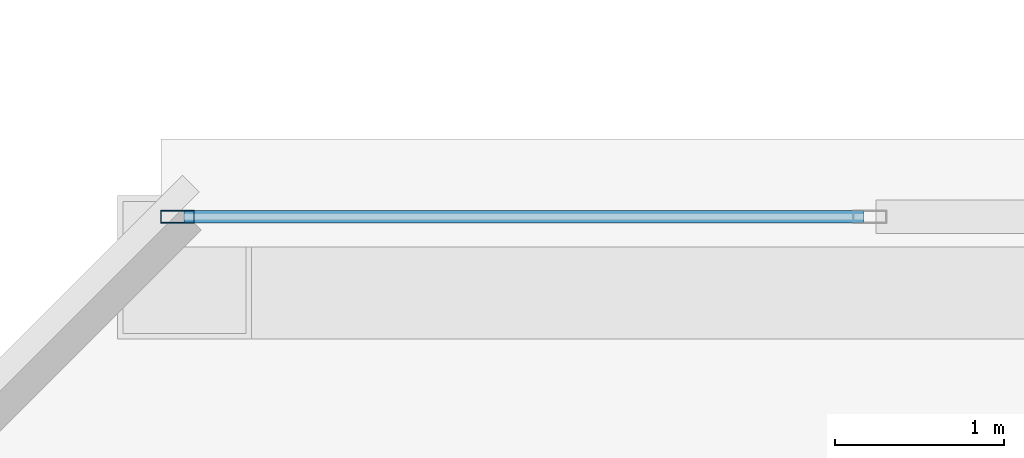
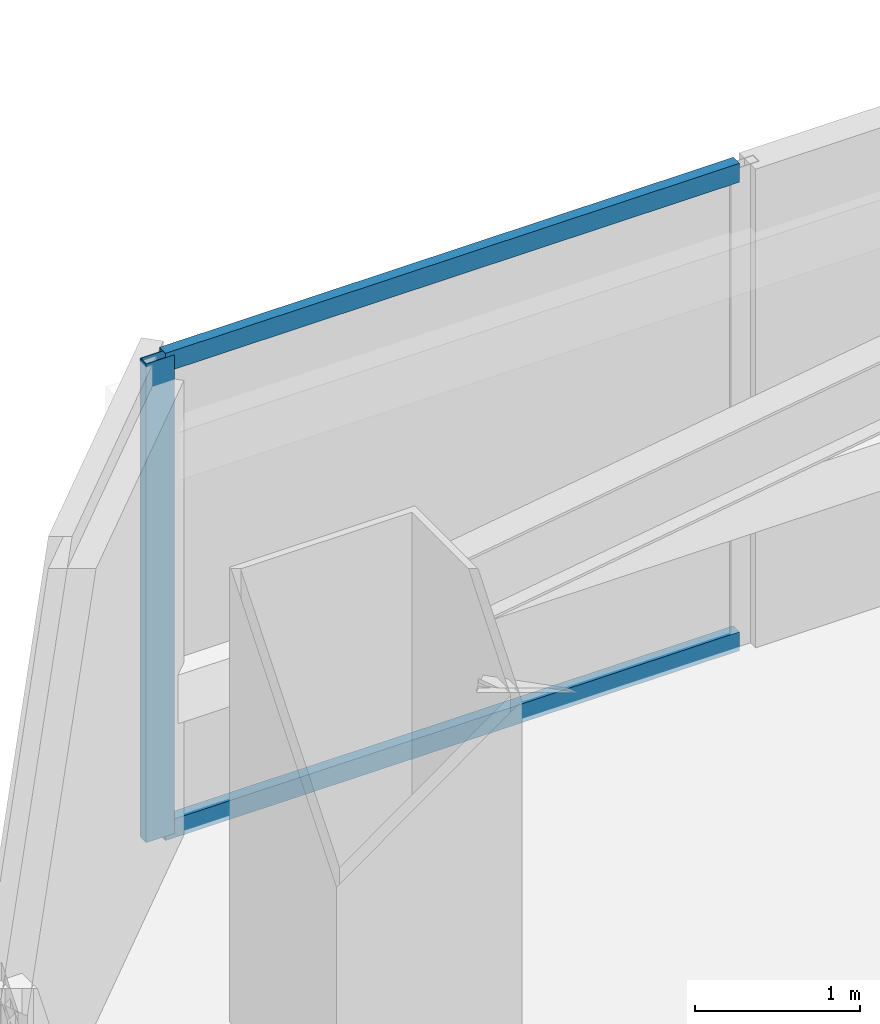
# One storey, part 18 of 54: 3 members, 1 element without a shape of its own.
"""IFC4 building model written with IfcOpenShell, lengths in metres."""

from ifc_helpers import new_model, si_unit, direction, frame, origin, origin_2d, place, context, subcontext, project, spatial, hollow_rectangle, extrude, material, material_profile, profile_set, type_object, element, aggregate, save


model = new_model("IFC4")

# Units and contexts
model_context = context("Model", 3, precision=1e-05, world=origin(), true_north=direction((0.0, 1.0)))
body_context = subcontext(model_context, "Body", "Model", "MODEL_VIEW")
ifc_project = project(units=[si_unit("LENGTHUNIT", "METRE"), si_unit("AREAUNIT", "SQUARE_METRE"), si_unit("VOLUMEUNIT", "CUBIC_METRE"), si_unit("PLANEANGLEUNIT", "RADIAN"), si_unit("MASSUNIT", "GRAM", prefix="KILO")], contexts=[model_context])

# Site, building, storey
site_placement = place(None, origin())
site = spatial("IfcSite", under=ifc_project, at=site_placement, CompositionType="ELEMENT")
building_placement = place(site_placement, origin())
building = spatial("IfcBuilding", under=site, at=building_placement, Name="Tashvorn Skyway Center", CompositionType="ELEMENT")
storey_placement = place(building_placement, frame((0.0, 0.0, 135.699951171875)))
storey = spatial("IfcBuildingStorey", under=building, at=storey_placement, Name="L36", CompositionType="ELEMENT", Elevation=135.699951171875)

# Curtain wall, members
ifc_material = material(Name="Thermally broken bronze-anodized aluminium 6063-T6", Category="aluminium")
curtain_wall_type = type_object("IfcCurtainWallType", Name="CW-CW-Z3", PredefinedType="NOTDEFINED", material=ifc_material)
curtain_wall_placement = place(storey_placement, origin())
curtain_wall = element("IfcCurtainWall", 1, at=curtain_wall_placement, inside=storey, type_object=curtain_wall_type, Name="Tower 1 L36 North Curtain Wall L Glazing Group 1", PredefinedType="NOTDEFINED")
ifc_material_profile_1 = material_profile(ifc_material, hollow_rectangle(XDim=0.074951171875, YDim=0.199951171875, WallThickness=0.00439453125, at=origin_2d()), Name="ALU-MULL-75x200")
ifc_profile_set_1 = profile_set([ifc_material_profile_1], Name="Thermally broken bronze-anodized aluminium 6063-T6")
member_type_1 = type_object("IfcMemberType", Name="CWM-CW-Z3", PredefinedType="MULLION", material=ifc_profile_set_1)
member_1_placement = place(storey_placement, frame((25.257568359375, 51.280029296875, 0.0), z_axis=(0.0, 0.0, 1.0), x_axis=(0.0, 1.0, 0.0)))
member_1 = element("IfcMember", 2, at=member_1_placement, type_object=member_type_1, Name="CW-Z3 mullion 1", PredefinedType="MULLION", context=body_context, shape_type="SweptSolid", body=[
    extrude(hollow_rectangle(XDim=0.074951171875, YDim=0.199951171875, WallThickness=0.00439453125, at=origin_2d()), origin(), (0.0, 0.0, 1.0), 3.550048828125),
])
ifc_material_profile_2 = material_profile(ifc_material, hollow_rectangle(XDim=0.074951171875, YDim=0.139892578125, WallThickness=0.004150390625, at=origin_2d()), Name="ALU-TRAN-75x140")
ifc_profile_set_2 = profile_set([ifc_material_profile_2], Name="Thermally broken bronze-anodized aluminium 6063-T6")
member_type_2 = type_object("IfcMemberType", Name="CWT-CW-Z3", PredefinedType="USERDEFINED", material=ifc_profile_set_2)
member_2_placement = place(storey_placement, frame((25.294921875, 51.280029296875, 0.03759765625), z_axis=(1.0, 0.0, 0.0), x_axis=(0.0, 1.0, 0.0)))
member_2 = element("IfcMember", 3, at=member_2_placement, type_object=member_type_2, Name="CW-Z3 transom 1.1", ObjectType="TRANSOM", PredefinedType="USERDEFINED", context=body_context, shape_type="SweptSolid", body=[
    extrude(hollow_rectangle(XDim=0.074951171875, YDim=0.139892578125, WallThickness=0.004150390625, at=origin_2d()), origin(), (0.0, 0.0, 1.0), 4.02685546875),
])
member_3_placement = place(storey_placement, frame((25.294921875, 51.280029296875, 3.512451171875), z_axis=(1.0, 0.0, 0.0), x_axis=(0.0, 1.0, 0.0)))
member_3 = element("IfcMember", 4, at=member_3_placement, type_object=member_type_2, Name="CW-Z3 transom 1.2", ObjectType="TRANSOM", PredefinedType="USERDEFINED", context=body_context, shape_type="SweptSolid", body=[
    extrude(hollow_rectangle(XDim=0.074951171875, YDim=0.139892578125, WallThickness=0.004150390625, at=origin_2d()), origin(), (0.0, 0.0, 1.0), 4.02685546875),
])
aggregate(curtain_wall, [member_1, member_2, member_3])

save(model, "model.ifc")
